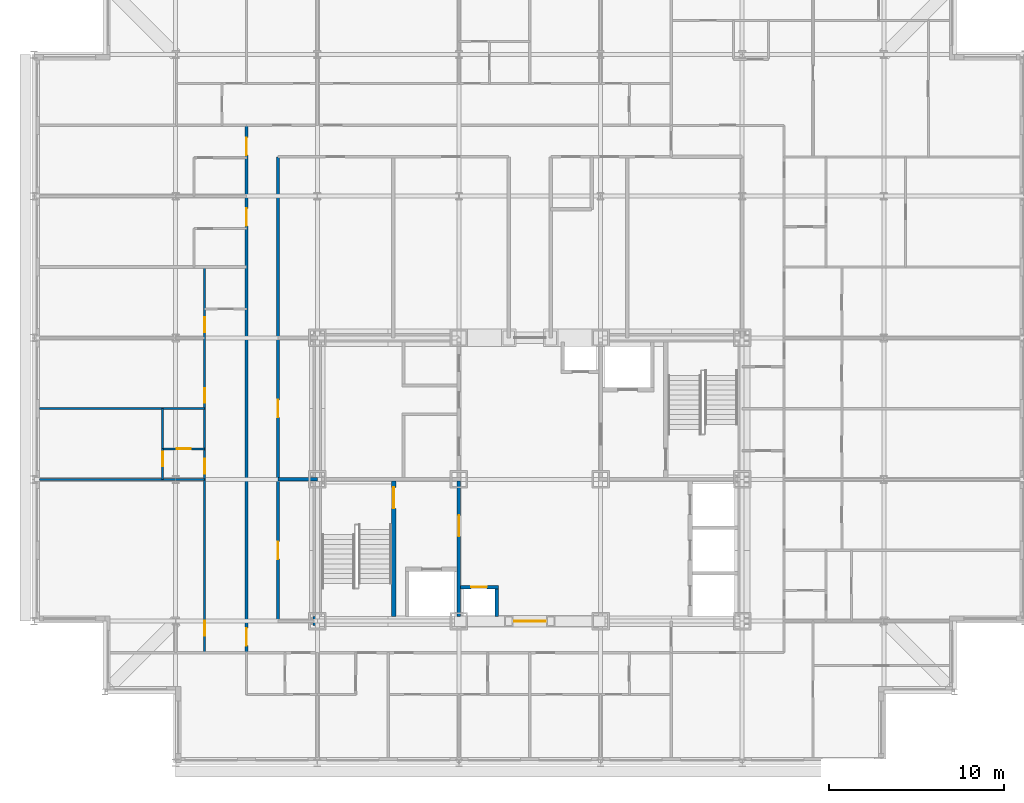
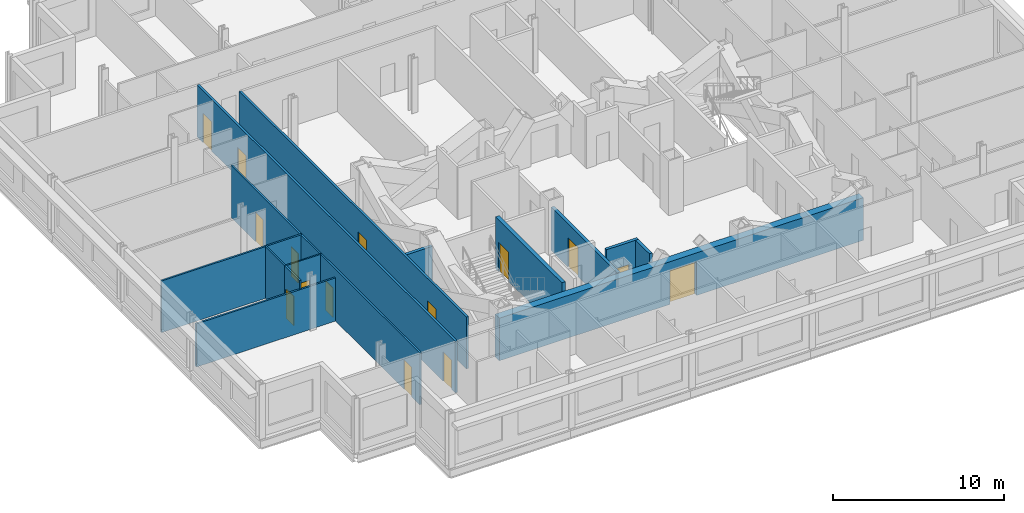
# One storey, part 8 of 15: 15 doors, 14 walls, 15 openings.
"""IFC4 building model written with IfcOpenShell, lengths in metres."""

from ifc_helpers import new_model, si_unit, direction, frame, frame_2d, origin, place, context, subcontext, project, spatial, rectangle, extrude, material, layer, layer_set, type_object, element, fill, save


model = new_model("IFC4")

# Units and contexts
model_context = context("Model", 3, precision=1e-05, world=origin(), true_north=direction((0.0, 1.0)))
body_context = subcontext(model_context, "Body", "Model", "MODEL_VIEW")
ifc_project = project(units=[si_unit("LENGTHUNIT", "METRE"), si_unit("AREAUNIT", "SQUARE_METRE"), si_unit("VOLUMEUNIT", "CUBIC_METRE"), si_unit("PLANEANGLEUNIT", "RADIAN"), si_unit("MASSUNIT", "GRAM", prefix="KILO")], contexts=[model_context])

# Site, building, storey
site_placement = place(None, origin())
site = spatial("IfcSite", under=ifc_project, at=site_placement, CompositionType="ELEMENT")
building_placement = place(site_placement, origin())
building = spatial("IfcBuilding", under=site, at=building_placement, Name="Kopane Lantern Tower", CompositionType="ELEMENT")
storey_placement = place(building_placement, frame((0.0, 0.0, 254.10009765625)))
storey = spatial("IfcBuildingStorey", under=building, at=storey_placement, Name="L65", CompositionType="ELEMENT", Elevation=254.10009765625)

# Wall, openings, doors
ifc_material_1 = material(Name="Gypsum board on steel studs", Category="steel")
ifc_layer_1 = layer(ifc_material_1, 0.1201171875)
ifc_layer_set_1 = layer_set([ifc_layer_1], Name="APARTMENT INTERNAL WALL 120")
wall_type_1 = type_object("IfcWallType", Name="APARTMENT INTERNAL WALL 120", PredefinedType="PARTITIONING", material=ifc_layer_set_1)
wall_1_placement = place(storey_placement, frame((9.75, 22.5, 0.0), z_axis=(0.0, 0.0, 1.0), x_axis=(0.0, 1.0, 0.0)))
wall_1 = element("IfcWall", 1, at=wall_1_placement, inside=storey, type_object=wall_type_1, Name="Apartment Internal Wall 120 L65", PredefinedType="PARTITIONING", context=body_context, shape_type="SweptSolid", body=[
    extrude(rectangle(XDim=22.050048828125, YDim=0.1201171875, at=frame_2d((11.02490234375, 0.0))), origin(), (0.0, 0.0, 1.0), 3.68994140625),
])
opening_1_placement = place(wall_1_placement, frame((0.97509765625, 0.0, 0.0)))
opening_1 = element("IfcOpeningElement", 2, at=opening_1_placement, cuts=wall_1, Name="Opening L65-027", PredefinedType="OPENING", context=body_context, shape_type="SweptSolid", body=[
    extrude(rectangle(XDim=0.85009765625, YDim=2.10009765625, at=frame_2d((0.425048828125, 1.050048828125))), frame((0.0, 0.070068359375, 0.0), z_axis=(0.0, -1.0, 0.0), x_axis=(1.0, 0.0, 0.0)), (0.0, 0.0, 1.0), 0.14013671875),
])
opening_2_placement = place(wall_1_placement, frame((10.22509765625, 0.0, 0.0)))
opening_2 = element("IfcOpeningElement", 3, at=opening_2_placement, cuts=wall_1, Name="Opening L65-029", PredefinedType="OPENING", context=body_context, shape_type="SweptSolid", body=[
    extrude(rectangle(XDim=0.85009765625, YDim=2.10009765625, at=frame_2d((0.425048828125, 1.050048828125))), frame((0.0, 0.070068359375, 0.0), z_axis=(0.0, -1.0, 0.0), x_axis=(1.0, 0.0, 0.0)), (0.0, 0.0, 1.0), 0.14013671875),
])
opening_3_placement = place(wall_1_placement, frame((14.27490234375, 0.0, 0.0)))
opening_3 = element("IfcOpeningElement", 4, at=opening_3_placement, cuts=wall_1, Name="Opening L65-030", PredefinedType="OPENING", context=body_context, shape_type="SweptSolid", body=[
    extrude(rectangle(XDim=0.85009765625, YDim=2.10009765625, at=frame_2d((0.425048828125, 1.050048828125))), frame((0.0, 0.070068359375, 0.0), z_axis=(0.0, -1.0, 0.0), x_axis=(1.0, 0.0, 0.0)), (0.0, 0.0, 1.0), 0.14013671875),
])
opening_4_placement = place(wall_1_placement, frame((18.324951171875, 0.0, 0.0)))
opening_4 = element("IfcOpeningElement", 5, at=opening_4_placement, cuts=wall_1, Name="Opening L65-031", PredefinedType="OPENING", context=body_context, shape_type="SweptSolid", body=[
    extrude(rectangle(XDim=0.85009765625, YDim=2.10009765625, at=frame_2d((0.425048828125, 1.050048828125))), frame((0.0, 0.070068359375, 0.0), z_axis=(0.0, -1.0, 0.0), x_axis=(1.0, 0.0, 0.0)), (0.0, 0.0, 1.0), 0.14013671875),
])
ifc_material_2 = material(Name="Timber door set", Category="wood")
door_type_1 = type_object("IfcDoorType", Name="DOOR D4 850x2100", OperationType="SINGLE_SWING_LEFT", PredefinedType="DOOR", material=ifc_material_2)
door_1_placement = place(opening_1_placement, origin())
door_1 = element("IfcDoor", 6, at=door_1_placement, inside=storey, type_object=door_type_1, Name="Door L65-027", OperationType="SINGLE_SWING_RIGHT", OverallHeight=2.10009765625, OverallWidth=0.85009765625, PredefinedType="DOOR", context=body_context, shape_type="SweptSolid", body=[
    extrude(rectangle(XDim=0.85009765625, YDim=2.10009765625, at=frame_2d((0.425048828125, 1.050048828125))), frame((0.0, 0.02490234375, 0.0), z_axis=(0.0, -1.0, 0.0), x_axis=(1.0, 0.0, 0.0)), (0.0, 0.0, 1.0), 0.050048828125),
])
fill(opening_1, door_1)
door_2_placement = place(opening_2_placement, origin())
door_2 = element("IfcDoor", 7, at=door_2_placement, inside=storey, type_object=door_type_1, Name="Door L65-029", OperationType="SINGLE_SWING_LEFT", OverallHeight=2.10009765625, OverallWidth=0.85009765625, PredefinedType="DOOR", context=body_context, shape_type="SweptSolid", body=[
    extrude(rectangle(XDim=0.85009765625, YDim=2.10009765625, at=frame_2d((0.425048828125, 1.050048828125))), frame((0.0, 0.02490234375, 0.0), z_axis=(0.0, -1.0, 0.0), x_axis=(1.0, 0.0, 0.0)), (0.0, 0.0, 1.0), 0.050048828125),
])
fill(opening_2, door_2)
door_3_placement = place(opening_3_placement, origin())
door_3 = element("IfcDoor", 8, at=door_3_placement, inside=storey, type_object=door_type_1, Name="Door L65-030", OperationType="SINGLE_SWING_LEFT", OverallHeight=2.10009765625, OverallWidth=0.85009765625, PredefinedType="DOOR", context=body_context, shape_type="SweptSolid", body=[
    extrude(rectangle(XDim=0.85009765625, YDim=2.10009765625, at=frame_2d((0.425048828125, 1.050048828125))), frame((0.0, 0.02490234375, 0.0), z_axis=(0.0, -1.0, 0.0), x_axis=(1.0, 0.0, 0.0)), (0.0, 0.0, 1.0), 0.050048828125),
])
fill(opening_3, door_3)
door_4_placement = place(opening_4_placement, origin())
door_4 = element("IfcDoor", 9, at=door_4_placement, inside=storey, type_object=door_type_1, Name="Door L65-031", OperationType="SINGLE_SWING_LEFT", OverallHeight=2.10009765625, OverallWidth=0.85009765625, PredefinedType="DOOR", context=body_context, shape_type="SweptSolid", body=[
    extrude(rectangle(XDim=0.85009765625, YDim=2.10009765625, at=frame_2d((0.425048828125, 1.050048828125))), frame((0.0, 0.02490234375, 0.0), z_axis=(0.0, -1.0, 0.0), x_axis=(1.0, 0.0, 0.0)), (0.0, 0.0, 1.0), 0.050048828125),
])
fill(opening_4, door_4)

# Walls
wall_2_placement = place(storey_placement, frame((9.75, 32.39990234375, 0.0), z_axis=(0.0, 0.0, 1.0), x_axis=(-1.0, 0.0, 0.0)))
element("IfcWall", 10, at=wall_2_placement, inside=storey, type_object=wall_type_1, Name="Apartment Internal Wall 120 L65", PredefinedType="PARTITIONING", context=body_context, shape_type="SweptSolid", body=[
    extrude(rectangle(XDim=9.449951171875, YDim=0.1201171875, at=frame_2d((4.72509765625, 0.0))), origin(), (0.0, 0.0, 1.0), 3.07763671875),
])
wall_3_placement = place(storey_placement, frame((9.75, 36.449951171875, 0.0), z_axis=(0.0, 0.0, 1.0), x_axis=(-1.0, 0.0, 0.0)))
element("IfcWall", 11, at=wall_3_placement, inside=storey, type_object=wall_type_1, Name="Apartment Internal Wall 120 L65", PredefinedType="PARTITIONING", context=body_context, shape_type="SweptSolid", body=[
    extrude(rectangle(XDim=9.449951171875, YDim=0.1201171875, at=frame_2d((4.72509765625, 0.0))), origin(), (0.0, 0.0, 1.0), 3.68994140625),
])

# Wall, opening, door
wall_4_placement = place(storey_placement, frame((7.35009765625, 32.39990234375, 0.0), z_axis=(0.0, 0.0, 1.0), x_axis=(0.0, 1.0, 0.0)))
wall_4 = element("IfcWall", 12, at=wall_4_placement, inside=storey, type_object=wall_type_1, Name="Apartment Internal Wall 120 L65", PredefinedType="PARTITIONING", context=body_context, shape_type="SweptSolid", body=[
    extrude(rectangle(XDim=1.760009765625, YDim=0.1201171875, at=frame_2d((0.8798828125, 0.0))), origin(), (0.0, 0.0, 1.0), 3.68994140625),
])
opening_5_placement = place(wall_4_placement, frame((0.75, 0.0, 0.0)))
opening_5 = element("IfcOpeningElement", 13, at=opening_5_placement, cuts=wall_4, Name="Opening L65-062", PredefinedType="OPENING", context=body_context, shape_type="SweptSolid", body=[
    extrude(rectangle(XDim=0.85009765625, YDim=2.10009765625, at=frame_2d((0.425048828125, 1.050048828125))), frame((0.0, 0.070068359375, 0.0), z_axis=(0.0, -1.0, 0.0), x_axis=(1.0, 0.0, 0.0)), (0.0, 0.0, 1.0), 0.14013671875),
])
door_5_placement = place(opening_5_placement, origin())
door_5 = element("IfcDoor", 14, at=door_5_placement, inside=storey, type_object=door_type_1, Name="Door L65-062", OperationType="SINGLE_SWING_LEFT", OverallHeight=2.10009765625, OverallWidth=0.85009765625, PredefinedType="DOOR", context=body_context, shape_type="SweptSolid", body=[
    extrude(rectangle(XDim=0.85009765625, YDim=2.10009765625, at=frame_2d((0.425048828125, 1.050048828125))), frame((0.0, 0.02490234375, 0.0), z_axis=(0.0, -1.0, 0.0), x_axis=(1.0, 0.0, 0.0)), (0.0, 0.0, 1.0), 0.050048828125),
])
fill(opening_5, door_5)

ifc_material_3 = material(Name="Moisture-resistant board on steel studs", Category="steel")
ifc_layer_2 = layer(ifc_material_3, 0.10009765625)
ifc_layer_set_2 = layer_set([ifc_layer_2], Name="BATHROOM WALL 100")
wall_type_2 = type_object("IfcWallType", Name="BATHROOM WALL 100", PredefinedType="PARTITIONING", material=ifc_layer_set_2)
wall_5_placement = place(storey_placement, frame((9.75, 34.14990234375, 0.0), z_axis=(0.0, 0.0, 1.0), x_axis=(-1.0, 0.0, 0.0)))
wall_5 = element("IfcWall", 15, at=wall_5_placement, inside=storey, type_object=wall_type_2, Name="Bathroom Wall 100 L65", PredefinedType="PARTITIONING", context=body_context, shape_type="SweptSolid", body=[
    extrude(rectangle(XDim=2.39990234375, YDim=0.10009765625, at=frame_2d((1.199951171875, 0.0))), origin(), (0.0, 0.0, 1.0), 3.68994140625),
])
opening_6_placement = place(wall_5_placement, frame((0.800048828125, 0.0, 0.0)))
opening_6 = element("IfcOpeningElement", 16, at=opening_6_placement, cuts=wall_5, Name="Opening L65-028", PredefinedType="OPENING", context=body_context, shape_type="SweptSolid", body=[
    extrude(rectangle(XDim=0.800048828125, YDim=2.10009765625, at=frame_2d((0.39990234375, 1.050048828125))), frame((0.0, 0.06005859375, 0.0), z_axis=(0.0, -1.0, 0.0), x_axis=(1.0, 0.0, 0.0)), (0.0, 0.0, 1.0), 0.1201171875),
])
ifc_material_4 = material(Name="Timber door set", Category="wood")
door_type_2 = type_object("IfcDoorType", Name="DOOR D2 800x2100", OperationType="SINGLE_SWING_LEFT", PredefinedType="DOOR", material=ifc_material_4)
door_6_placement = place(opening_6_placement, origin())
door_6 = element("IfcDoor", 17, at=door_6_placement, inside=storey, type_object=door_type_2, Name="Door L65-028", OperationType="SINGLE_SWING_RIGHT", OverallHeight=2.10009765625, OverallWidth=0.800048828125, PredefinedType="DOOR", context=body_context, shape_type="SweptSolid", body=[
    extrude(rectangle(XDim=0.800048828125, YDim=2.10009765625, at=frame_2d((0.39990234375, 1.050048828125))), frame((0.0, 0.02490234375, 0.0), z_axis=(0.0, -1.0, 0.0), x_axis=(1.0, 0.0, 0.0)), (0.0, 0.0, 1.0), 0.050048828125),
])
fill(opening_6, door_6)

# Wall
wall_6_placement = place(storey_placement, frame((7.35009765625, 34.14990234375, 0.0), z_axis=(0.0, 0.0, 1.0), x_axis=(0.0, 1.0, 0.0)))
element("IfcWall", 18, at=wall_6_placement, inside=storey, type_object=wall_type_2, Name="Bathroom Wall 100 L65", PredefinedType="PARTITIONING", context=body_context, shape_type="SweptSolid", body=[
    extrude(rectangle(XDim=2.300048828125, YDim=0.10009765625, at=frame_2d((1.14990234375, 0.0))), origin(), (0.0, 0.0, 1.0), 3.68994140625),
])

# Wall, opening, door
ifc_material_5 = material(Name="Gypsum shaft wall EI 120", Category="gypsum")
ifc_layer_3 = layer(ifc_material_5, 0.5)
ifc_layer_set_3 = layer_set([ifc_layer_3], Name="CORE PERIMETER WALL 500 EI 120")
wall_type_3 = type_object("IfcWallType", Name="CORE PERIMETER WALL 500 EI 120", PredefinedType="SOLIDWALL", material=ifc_layer_set_3)
wall_7_placement = place(storey_placement, frame((15.949951171875, 24.300048828125, 0.0), z_axis=(0.0, 0.0, 1.0), x_axis=(1.0, 0.0, 0.0)))
wall_7 = element("IfcWall", 19, at=wall_7_placement, inside=storey, type_object=wall_type_3, Name="Core shaft wall L65 PS", PredefinedType="SOLIDWALL", context=body_context, shape_type="SweptSolid", body=[
    extrude(rectangle(XDim=24.550048828125, YDim=0.5, at=frame_2d((12.27490234375, 0.0))), origin(), (0.0, 0.0, 1.0), 3.039794921875),
])
opening_7_placement = place(wall_7_placement, frame((11.5, 0.0, 0.0)))
opening_7 = element("IfcOpeningElement", 20, at=opening_7_placement, cuts=wall_7, Name="Opening 65.CE-S", PredefinedType="OPENING", context=body_context, shape_type="SweptSolid", body=[
    extrude(rectangle(XDim=1.800048828125, YDim=2.39990234375, at=frame_2d((0.89990234375, 1.199951171875))), frame((0.0, 0.260009765625, 0.0), z_axis=(0.0, -1.0, 0.0), x_axis=(1.0, 0.0, 0.0)), (0.0, 0.0, 1.0), 0.52001953125),
])
ifc_material_6 = material(Name="Steel door set", Category="steel")
door_type_3 = type_object("IfcDoorType", Name="CORE ENTRY DOOR 1800x2400 FD60S", OperationType="DOUBLE_DOOR_SINGLE_SWING", PredefinedType="DOOR", material=ifc_material_6)
door_7_placement = place(opening_7_placement, origin())
door_7 = element("IfcDoor", 21, at=door_7_placement, inside=storey, type_object=door_type_3, Name="Core entry door L65 south", OperationType="DOUBLE_DOOR_SINGLE_SWING", OverallHeight=2.39990234375, OverallWidth=1.800048828125, PredefinedType="DOOR", context=body_context, shape_type="SweptSolid", body=[
    extrude(rectangle(XDim=1.800048828125, YDim=2.39990234375, at=frame_2d((0.89990234375, 1.199951171875))), frame((0.0, 0.02490234375, 0.0), z_axis=(0.0, -1.0, 0.0), x_axis=(1.0, 0.0, 0.0)), (0.0, 0.0, 1.0), 0.050048828125),
])
fill(opening_7, door_7)

ifc_material_7 = material(Name="Gypsum shaft wall EI 120", Category="gypsum")
ifc_layer_4 = layer(ifc_material_7, 0.25)
ifc_layer_set_4 = layer_set([ifc_layer_4], Name="CORE SHAFT WALL 250 EI 120")
wall_type_4 = type_object("IfcWallType", Name="CORE SHAFT WALL 250 EI 120", PredefinedType="SOLIDWALL", material=ifc_layer_set_4)
wall_8_placement = place(storey_placement, frame((20.574951171875, 24.550048828125, 0.0), z_axis=(0.0, 0.0, 1.0), x_axis=(0.0, 1.0, 0.0)))
wall_8 = element("IfcWall", 22, at=wall_8_placement, inside=storey, type_object=wall_type_4, Name="Core shaft wall L65 XST1", PredefinedType="SOLIDWALL", context=body_context, shape_type="SweptSolid", body=[
    extrude(rectangle(XDim=7.75, YDim=0.25, at=frame_2d((3.875, 0.0))), origin(), (0.0, 0.0, 1.0), 3.68994140625),
])
opening_8_placement = place(wall_8_placement, frame((6.199951171875, 0.0, 0.0)))
opening_8 = element("IfcOpeningElement", 23, at=opening_8_placement, cuts=wall_8, Name="Opening 65.SD1", PredefinedType="OPENING", context=body_context, shape_type="SweptSolid", body=[
    extrude(rectangle(XDim=1.199951171875, YDim=2.10009765625, at=frame_2d((0.60009765625, 1.050048828125))), frame((0.0, 0.135009765625, 0.0), z_axis=(0.0, -1.0, 0.0), x_axis=(1.0, 0.0, 0.0)), (0.0, 0.0, 1.0), 0.27001953125),
])
ifc_material_8 = material(Name="Steel door set", Category="steel")
door_type_4 = type_object("IfcDoorType", Name="STAIR DOOR 1200x2100 FD60S", OperationType="SINGLE_SWING_LEFT", PredefinedType="DOOR", material=ifc_material_8)
door_8_placement = place(opening_8_placement, origin())
door_8 = element("IfcDoor", 24, at=door_8_placement, inside=storey, type_object=door_type_4, Name="Stair door ST1 L65", OperationType="SINGLE_SWING_LEFT", OverallHeight=2.10009765625, OverallWidth=1.199951171875, PredefinedType="DOOR", context=body_context, shape_type="SweptSolid", body=[
    extrude(rectangle(XDim=1.199951171875, YDim=2.10009765625, at=frame_2d((0.60009765625, 1.050048828125))), frame((0.0, 0.02490234375, 0.0), z_axis=(0.0, -1.0, 0.0), x_axis=(1.0, 0.0, 0.0)), (0.0, 0.0, 1.0), 0.050048828125),
])
fill(opening_8, door_8)

# Wall, openings, doors
ifc_material_9 = material(Name="Gypsum board on steel studs", Category="steel")
ifc_layer_5 = layer(ifc_material_9, 0.14990234375)
ifc_layer_set_5 = layer_set([ifc_layer_5], Name="CORRIDOR WALL 150 EI 60")
wall_type_5 = type_object("IfcWallType", Name="CORRIDOR WALL 150 EI 60", PredefinedType="PARTITIONING", material=ifc_layer_set_5)
wall_9_placement = place(storey_placement, frame((12.14990234375, 22.5, 0.0), z_axis=(0.0, 0.0, 1.0), x_axis=(0.0, 1.0, 0.0)))
wall_9 = element("IfcWall", 25, at=wall_9_placement, inside=storey, type_object=wall_type_5, Name="Corridor Wall 150 Ei 60 L65", PredefinedType="PARTITIONING", context=body_context, shape_type="SweptSolid", body=[
    extrude(rectangle(XDim=30.14990234375, YDim=0.14990234375, at=frame_2d((15.074951171875, 0.0))), origin(), (0.0, 0.0, 1.0), 3.68994140625),
])
opening_9_placement = place(wall_9_placement, frame((0.39990234375, 0.0, 0.0)))
opening_9 = element("IfcOpeningElement", 26, at=opening_9_placement, cuts=wall_9, Name="Opening L65-026", PredefinedType="OPENING", context=body_context, shape_type="SweptSolid", body=[
    extrude(rectangle(XDim=1.0, YDim=2.10009765625, at=frame_2d((0.5, 1.050048828125))), frame((0.0, 0.0849609375, 0.0), z_axis=(0.0, -1.0, 0.0), x_axis=(1.0, 0.0, 0.0)), (0.0, 0.0, 1.0), 0.169921875),
])
opening_10_placement = place(wall_9_placement, frame((24.39990234375, 0.0, 0.0)))
opening_10 = element("IfcOpeningElement", 27, at=opening_10_placement, cuts=wall_9, Name="Opening L65-033", PredefinedType="OPENING", context=body_context, shape_type="SweptSolid", body=[
    extrude(rectangle(XDim=1.0, YDim=2.10009765625, at=frame_2d((0.5, 1.050048828125))), frame((0.0, 0.0849609375, 0.0), z_axis=(0.0, -1.0, 0.0), x_axis=(1.0, 0.0, 0.0)), (0.0, 0.0, 1.0), 0.169921875),
])
opening_11_placement = place(wall_9_placement, frame((28.449951171875, 0.0, 0.0)))
opening_11 = element("IfcOpeningElement", 28, at=opening_11_placement, cuts=wall_9, Name="Opening L65-035", PredefinedType="OPENING", context=body_context, shape_type="SweptSolid", body=[
    extrude(rectangle(XDim=1.0, YDim=2.10009765625, at=frame_2d((0.5, 1.050048828125))), frame((0.0, 0.0849609375, 0.0), z_axis=(0.0, -1.0, 0.0), x_axis=(1.0, 0.0, 0.0)), (0.0, 0.0, 1.0), 0.169921875),
])
ifc_material_10 = material(Name="Steel door set", Category="steel")
door_type_5 = type_object("IfcDoorType", Name="DOOR D3 1000x2100 FD30S", OperationType="SINGLE_SWING_LEFT", PredefinedType="DOOR", material=ifc_material_10)
door_9_placement = place(opening_9_placement, origin())
door_9 = element("IfcDoor", 29, at=door_9_placement, inside=storey, type_object=door_type_5, Name="Door L65-026", OperationType="SINGLE_SWING_LEFT", OverallHeight=2.10009765625, OverallWidth=1.0, PredefinedType="DOOR", context=body_context, shape_type="SweptSolid", body=[
    extrude(rectangle(XDim=1.0, YDim=2.10009765625, at=frame_2d((0.5, 1.050048828125))), frame((0.0, 0.02490234375, 0.0), z_axis=(0.0, -1.0, 0.0), x_axis=(1.0, 0.0, 0.0)), (0.0, 0.0, 1.0), 0.050048828125),
])
fill(opening_9, door_9)
door_10_placement = place(opening_10_placement, origin())
door_10 = element("IfcDoor", 30, at=door_10_placement, inside=storey, type_object=door_type_5, Name="Door L65-033", OperationType="SINGLE_SWING_LEFT", OverallHeight=2.10009765625, OverallWidth=1.0, PredefinedType="DOOR", context=body_context, shape_type="SweptSolid", body=[
    extrude(rectangle(XDim=1.0, YDim=2.10009765625, at=frame_2d((0.5, 1.050048828125))), frame((0.0, 0.02490234375, 0.0), z_axis=(0.0, -1.0, 0.0), x_axis=(1.0, 0.0, 0.0)), (0.0, 0.0, 1.0), 0.050048828125),
])
fill(opening_10, door_10)
door_11_placement = place(opening_11_placement, origin())
door_11 = element("IfcDoor", 31, at=door_11_placement, inside=storey, type_object=door_type_5, Name="Door L65-035", OperationType="SINGLE_SWING_LEFT", OverallHeight=2.10009765625, OverallWidth=1.0, PredefinedType="DOOR", context=body_context, shape_type="SweptSolid", body=[
    extrude(rectangle(XDim=1.0, YDim=2.10009765625, at=frame_2d((0.5, 1.050048828125))), frame((0.0, 0.02490234375, 0.0), z_axis=(0.0, -1.0, 0.0), x_axis=(1.0, 0.0, 0.0)), (0.0, 0.0, 1.0), 0.050048828125),
])
fill(opening_11, door_11)

wall_10_placement = place(storey_placement, frame((13.949951171875, 24.300048828125, 0.0), z_axis=(0.0, 0.0, 1.0), x_axis=(0.0, 1.0, 0.0)))
wall_10 = element("IfcWall", 32, at=wall_10_placement, inside=storey, type_object=wall_type_5, Name="Corridor Wall 150 Ei 60 L65", PredefinedType="PARTITIONING", context=body_context, shape_type="SweptSolid", body=[
    extrude(rectangle(XDim=26.550048828125, YDim=0.14990234375, at=frame_2d((13.27490234375, 0.0))), origin(), (0.0, 0.0, 1.0), 3.68994140625),
])
opening_12_placement = place(wall_10_placement, frame((3.550048828125, 0.0, 0.0)))
opening_12 = element("IfcOpeningElement", 33, at=opening_12_placement, cuts=wall_10, Name="Opening L65-001", PredefinedType="OPENING", context=body_context, shape_type="SweptSolid", body=[
    extrude(rectangle(XDim=1.0, YDim=2.10009765625, at=frame_2d((0.5, 1.050048828125))), frame((0.0, 0.0849609375, 0.0), z_axis=(0.0, -1.0, 0.0), x_axis=(1.0, 0.0, 0.0)), (0.0, 0.0, 1.0), 0.169921875),
])
opening_13_placement = place(wall_10_placement, frame((11.64990234375, 0.0, 0.0)))
opening_13 = element("IfcOpeningElement", 34, at=opening_13_placement, cuts=wall_10, Name="Opening L65-002", PredefinedType="OPENING", context=body_context, shape_type="SweptSolid", body=[
    extrude(rectangle(XDim=1.0, YDim=2.10009765625, at=frame_2d((0.5, 1.050048828125))), frame((0.0, 0.0849609375, 0.0), z_axis=(0.0, -1.0, 0.0), x_axis=(1.0, 0.0, 0.0)), (0.0, 0.0, 1.0), 0.169921875),
])
ifc_material_11 = material(Name="Steel door set", Category="steel")
door_type_6 = type_object("IfcDoorType", Name="DOOR D5 1000x2100 FD60", OperationType="SINGLE_SWING_LEFT", PredefinedType="DOOR", material=ifc_material_11)
door_12_placement = place(opening_12_placement, origin())
door_12 = element("IfcDoor", 35, at=door_12_placement, inside=storey, type_object=door_type_6, Name="Door L65-001", OperationType="SINGLE_SWING_RIGHT", OverallHeight=2.10009765625, OverallWidth=1.0, PredefinedType="DOOR", context=body_context, shape_type="SweptSolid", body=[
    extrude(rectangle(XDim=1.0, YDim=2.10009765625, at=frame_2d((0.5, 1.050048828125))), frame((0.0, 0.02490234375, 0.0), z_axis=(0.0, -1.0, 0.0), x_axis=(1.0, 0.0, 0.0)), (0.0, 0.0, 1.0), 0.050048828125),
])
fill(opening_12, door_12)
door_13_placement = place(opening_13_placement, origin())
door_13 = element("IfcDoor", 36, at=door_13_placement, inside=storey, type_object=door_type_6, Name="Door L65-002", OperationType="SINGLE_SWING_LEFT", OverallHeight=2.10009765625, OverallWidth=1.0, PredefinedType="DOOR", context=body_context, shape_type="SweptSolid", body=[
    extrude(rectangle(XDim=1.0, YDim=2.10009765625, at=frame_2d((0.5, 1.050048828125))), frame((0.0, 0.02490234375, 0.0), z_axis=(0.0, -1.0, 0.0), x_axis=(1.0, 0.0, 0.0)), (0.0, 0.0, 1.0), 0.050048828125),
])
fill(opening_13, door_13)

# Wall
ifc_material_12 = material(Name="Concrete masonry", Category="masonry")
ifc_layer_6 = layer(ifc_material_12, 0.199951171875)
ifc_layer_set_6 = layer_set([ifc_layer_6], Name="PLANT ROOM WALL 200 EI 120")
wall_type_6 = type_object("IfcWallType", Name="PLANT ROOM WALL 200 EI 120", PredefinedType="SOLIDWALL", material=ifc_layer_set_6)
wall_11_placement = place(storey_placement, frame((13.949951171875, 32.39990234375, 0.0), z_axis=(0.0, 0.0, 1.0), x_axis=(1.0, 0.0, 0.0)))
element("IfcWall", 37, at=wall_11_placement, inside=storey, type_object=wall_type_6, Name="Plant Room Wall 200 Ei 120 L65", PredefinedType="SOLIDWALL", context=body_context, shape_type="SweptSolid", body=[
    extrude(rectangle(XDim=2.25, YDim=0.199951171875, at=frame_2d((1.125, 0.0))), origin(), (0.0, 0.0, 1.0), 3.07763671875),
])

# Wall, opening, door
ifc_material_13 = material(Name="Gypsum shaft wall EI 120", Category="gypsum")
ifc_layer_7 = layer(ifc_material_13, 0.199951171875)
ifc_layer_set_7 = layer_set([ifc_layer_7], Name="SHAFT WALL 200 EI 120")
wall_type_7 = type_object("IfcWallType", Name="SHAFT WALL 200 EI 120", PredefinedType="SOLIDWALL", material=ifc_layer_set_7)
wall_12_placement = place(storey_placement, frame((24.300048828125, 24.550048828125, 0.0), z_axis=(0.0, 0.0, 1.0), x_axis=(0.0, 1.0, 0.0)))
wall_12 = element("IfcWall", 38, at=wall_12_placement, inside=storey, type_object=wall_type_7, Name="Core shaft wall L65 X243", PredefinedType="SOLIDWALL", context=body_context, shape_type="SweptSolid", body=[
    extrude(rectangle(XDim=7.75, YDim=0.199951171875, at=frame_2d((3.875, 0.0))), origin(), (0.0, 0.0, 1.0), 3.07763671875),
])
opening_14_placement = place(wall_12_placement, frame((4.60009765625, 0.0, 0.0)))
opening_14 = element("IfcOpeningElement", 39, at=opening_14_placement, cuts=wall_12, Name="Opening 65.FL1", PredefinedType="OPENING", context=body_context, shape_type="SweptSolid", body=[
    extrude(rectangle(XDim=1.199951171875, YDim=2.10009765625, at=frame_2d((0.60009765625, 1.050048828125))), frame((0.0, 0.10986328125, 0.0), z_axis=(0.0, -1.0, 0.0), x_axis=(1.0, 0.0, 0.0)), (0.0, 0.0, 1.0), 0.219970703125),
])
ifc_material_14 = material(Name="Steel door set", Category="steel")
door_type_7 = type_object("IfcDoorType", Name="FIREFIGHTING LOBBY DOOR 1200x2100 FD60S", OperationType="SINGLE_SWING_RIGHT", PredefinedType="DOOR", material=ifc_material_14)
door_14_placement = place(opening_14_placement, origin())
door_14 = element("IfcDoor", 40, at=door_14_placement, inside=storey, type_object=door_type_7, Name="Firefighting lobby door FL1 L65", OperationType="SINGLE_SWING_LEFT", OverallHeight=2.10009765625, OverallWidth=1.199951171875, PredefinedType="DOOR", context=body_context, shape_type="SweptSolid", body=[
    extrude(rectangle(XDim=1.199951171875, YDim=2.10009765625, at=frame_2d((0.60009765625, 1.050048828125))), frame((0.0, 0.02490234375, 0.0), z_axis=(0.0, -1.0, 0.0), x_axis=(1.0, 0.0, 0.0)), (0.0, 0.0, 1.0), 0.050048828125),
])
fill(opening_14, door_14)

# Wall
wall_13_placement = place(storey_placement, frame((26.449951171875, 24.550048828125, 0.0), z_axis=(0.0, 0.0, 1.0), x_axis=(0.0, 1.0, 0.0)))
element("IfcWall", 41, at=wall_13_placement, inside=storey, type_object=wall_type_7, Name="Core shaft wall L65 XRS1", PredefinedType="SOLIDWALL", context=body_context, shape_type="SweptSolid", body=[
    extrude(rectangle(XDim=1.599853515625, YDim=0.199951171875, at=frame_2d((0.7998046875, 0.0))), origin(), (0.0, 0.0, 1.0), 3.68994140625),
])

# Wall, opening, door
wall_14_placement = place(storey_placement, frame((24.39990234375, 26.25, 0.0), z_axis=(0.0, 0.0, 1.0), x_axis=(1.0, 0.0, 0.0)))
wall_14 = element("IfcWall", 42, at=wall_14_placement, inside=storey, type_object=wall_type_7, Name="Core shaft wall L65 YRS1", PredefinedType="SOLIDWALL", context=body_context, shape_type="SweptSolid", body=[
    extrude(rectangle(XDim=2.150146484375, YDim=0.199951171875, at=frame_2d((1.0751953125, 0.0))), origin(), (0.0, 0.0, 1.0), 3.68994140625),
])
opening_15_placement = place(wall_14_placement, frame((0.60009765625, 0.0, 0.0)))
opening_15 = element("IfcOpeningElement", 43, at=opening_15_placement, cuts=wall_14, Name="Opening 65.RS1", PredefinedType="OPENING", context=body_context, shape_type="SweptSolid", body=[
    extrude(rectangle(XDim=0.89990234375, YDim=2.10009765625, at=frame_2d((0.449951171875, 1.050048828125))), frame((0.0, 0.10986328125, 0.0), z_axis=(0.0, -1.0, 0.0), x_axis=(1.0, 0.0, 0.0)), (0.0, 0.0, 1.0), 0.219970703125),
])
ifc_material_15 = material(Name="Steel door set", Category="steel")
door_type_8 = type_object("IfcDoorType", Name="RISER ACCESS DOOR 900x2100 FD60", OperationType="SINGLE_SWING_LEFT", PredefinedType="DOOR", material=ifc_material_15)
door_15_placement = place(opening_15_placement, origin())
door_15 = element("IfcDoor", 44, at=door_15_placement, inside=storey, type_object=door_type_8, Name="Riser access door RS1 L65", OperationType="SINGLE_SWING_LEFT", OverallHeight=2.10009765625, OverallWidth=0.89990234375, PredefinedType="DOOR", context=body_context, shape_type="SweptSolid", body=[
    extrude(rectangle(XDim=0.89990234375, YDim=2.10009765625, at=frame_2d((0.449951171875, 1.050048828125))), frame((0.0, 0.02490234375, 0.0), z_axis=(0.0, -1.0, 0.0), x_axis=(1.0, 0.0, 0.0)), (0.0, 0.0, 1.0), 0.050048828125),
])
fill(opening_15, door_15)

save(model, "model.ifc")
